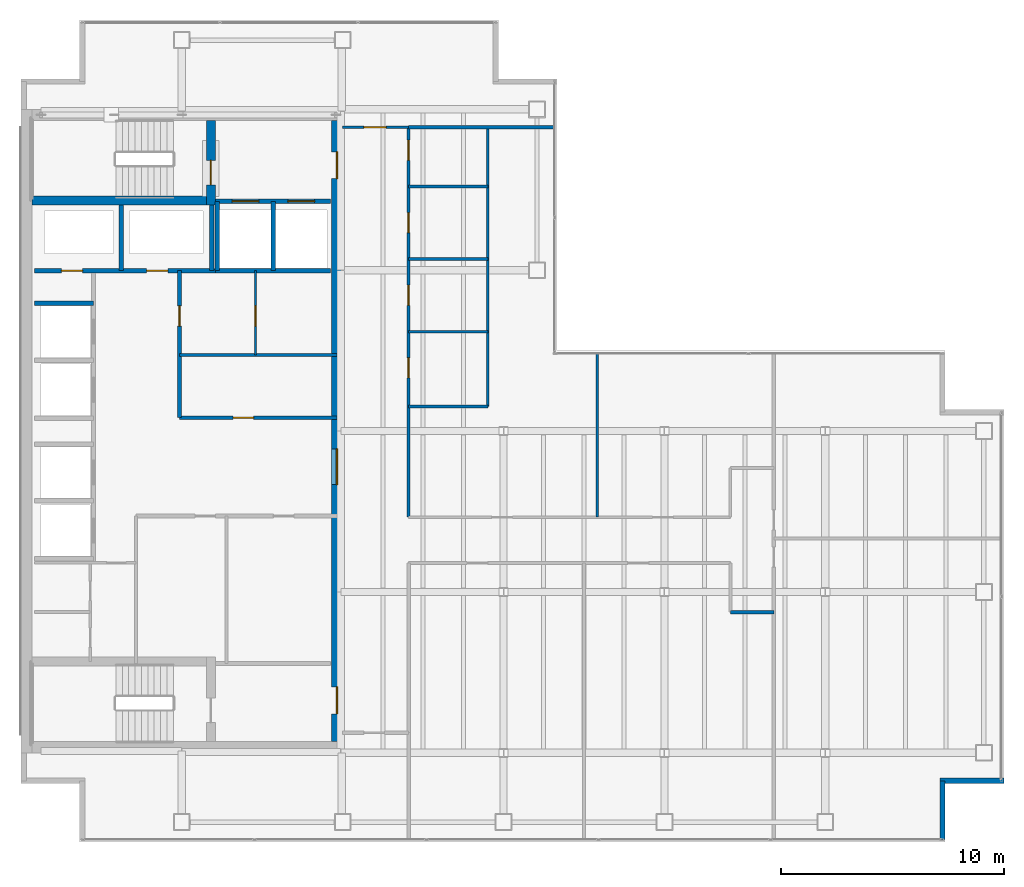
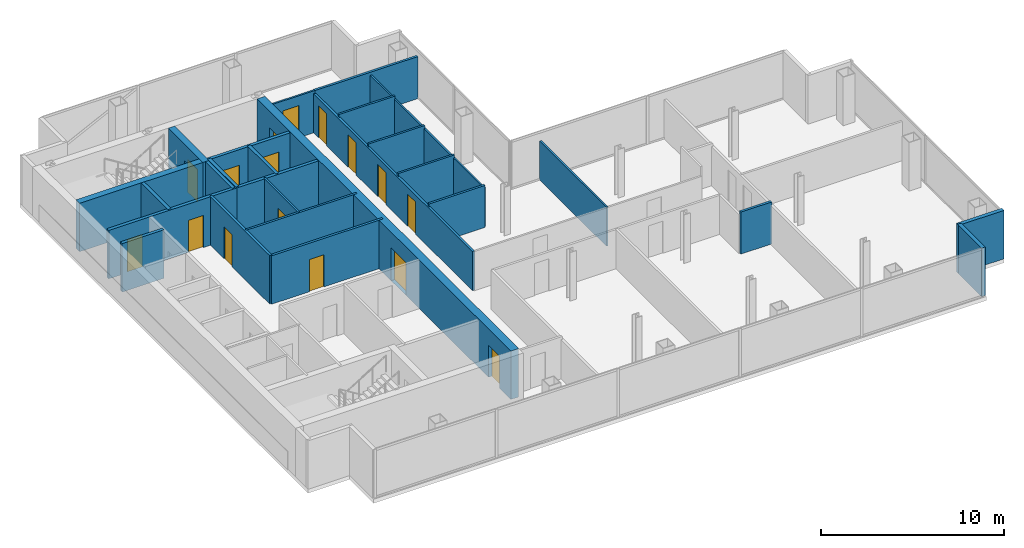
# One storey, part 21 of 23: 27 walls, 16 doors, 16 openings.
"""IFC4 building model written with IfcOpenShell, lengths in metres."""

from ifc_helpers import new_model, si_unit, direction, frame, frame_2d, origin, place, context, subcontext, project, spatial, rectangle, extrude, material, layer, layer_set, type_object, element, fill, save


model = new_model("IFC4")

# Units and contexts
model_context = context("Model", 3, precision=1e-05, world=origin(), true_north=direction((0.0, 1.0)))
body_context = subcontext(model_context, "Body", "Model", "MODEL_VIEW")
ifc_project = project(units=[si_unit("LENGTHUNIT", "METRE"), si_unit("AREAUNIT", "SQUARE_METRE"), si_unit("VOLUMEUNIT", "CUBIC_METRE"), si_unit("PLANEANGLEUNIT", "RADIAN"), si_unit("MASSUNIT", "GRAM", prefix="KILO")], contexts=[model_context])

# Site, building, storey
site_placement = place(None, origin())
site = spatial("IfcSite", under=ifc_project, at=site_placement, CompositionType="ELEMENT")
building_placement = place(site_placement, origin())
building = spatial("IfcBuilding", under=site, at=building_placement, Name="Cobrela Telecom Tower", CompositionType="ELEMENT")
storey_placement = place(building_placement, frame((0.0, 0.0, 215.25)))
storey = spatial("IfcBuildingStorey", under=building, at=storey_placement, Name="L55", CompositionType="ELEMENT", Elevation=215.25)

# Wall, openings, doors
ifc_material_1 = material(Name="Concrete C40/50", Category="concrete")
ifc_layer_1 = layer(ifc_material_1, 0.5)
ifc_layer_set_1 = layer_set([ifc_layer_1], Name="Concrete C40/50")
wall_type_1 = type_object("IfcWallType", Name="WALL-CORE-C40-500", PredefinedType="SHEAR", material=ifc_layer_set_1)
wall_1_placement = place(storey_placement, frame((14.14990234375, 35.5, 0.0), z_axis=(0.0, 0.0, 1.0), x_axis=(0.0, -1.0, 0.0)))
wall_1 = element("IfcWall", 1, at=wall_1_placement, inside=storey, type_object=wall_type_1, Name="L55 East Core Shear Wall", PredefinedType="SHEAR", context=body_context, shape_type="SweptSolid", body=[
    extrude(rectangle(XDim=27.800048828125, YDim=0.5, at=frame_2d((13.89990234375, 0.0))), origin(), (0.0, 0.0, 1.0), 3.239990234375),
])
opening_1_placement = place(wall_1_placement, frame((1.39990234375, 0.0, 0.0)))
opening_1 = element("IfcOpeningElement", 2, at=opening_1_placement, cuts=wall_1, Name="Opening DR-19", PredefinedType="OPENING", context=body_context, shape_type="SweptSolid", body=[
    extrude(rectangle(XDim=1.199951171875, YDim=2.14990234375, at=frame_2d((0.60009765625, 1.074951171875))), frame((0.0, 0.261962890625, 0.0), z_axis=(0.0, -1.0, 0.0), x_axis=(1.0, 0.0, 0.0)), (0.0, 0.0, 1.0), 0.52392578125),
])
opening_2_placement = place(wall_1_placement, frame((25.35009765625, 0.0, 0.0)))
opening_2 = element("IfcOpeningElement", 3, at=opening_2_placement, cuts=wall_1, Name="Opening DR-19", PredefinedType="OPENING", context=body_context, shape_type="SweptSolid", body=[
    extrude(rectangle(XDim=1.199951171875, YDim=2.14990234375, at=frame_2d((0.60009765625, 1.074951171875))), frame((0.0, 0.261962890625, 0.0), z_axis=(0.0, -1.0, 0.0), x_axis=(1.0, 0.0, 0.0)), (0.0, 0.0, 1.0), 0.52392578125),
])
opening_3_placement = place(wall_1_placement, frame((14.699951171875, 0.0, 0.0)))
opening_3 = element("IfcOpeningElement", 4, at=opening_3_placement, cuts=wall_1, Name="Opening DR-51", PredefinedType="OPENING", context=body_context, shape_type="SweptSolid", body=[
    extrude(rectangle(XDim=1.60009765625, YDim=2.199951171875, at=frame_2d((0.800048828125, 1.10009765625))), frame((0.0, 0.261962890625, 0.0), z_axis=(0.0, -1.0, 0.0), x_axis=(1.0, 0.0, 0.0)), (0.0, 0.0, 1.0), 0.52392578125),
])
ifc_material_2 = material(Name="Steel ASTM A36", Category="steel")
door_type_1 = type_object("IfcDoorType", Name="DOOR-FD60-1200", OperationType="SINGLE_SWING_LEFT", PredefinedType="DOOR", material=ifc_material_2)
door_1_placement = place(opening_1_placement, origin())
door_1 = element("IfcDoor", 5, at=door_1_placement, inside=storey, type_object=door_type_1, Name="L55 Door DR-19", OperationType="SINGLE_SWING_LEFT", OverallHeight=2.14990234375, OverallWidth=1.199951171875, PredefinedType="DOOR", context=body_context, shape_type="SweptSolid", body=[
    extrude(rectangle(XDim=1.199951171875, YDim=2.14990234375, at=frame_2d((0.60009765625, 1.074951171875))), frame((0.0, 0.02490234375, 0.0), z_axis=(0.0, -1.0, 0.0), x_axis=(1.0, 0.0, 0.0)), (0.0, 0.0, 1.0), 0.050048828125),
])
fill(opening_1, door_1)
door_2_placement = place(opening_2_placement, origin())
door_2 = element("IfcDoor", 6, at=door_2_placement, inside=storey, type_object=door_type_1, Name="L55 Door DR-19", OperationType="SINGLE_SWING_RIGHT", OverallHeight=2.14990234375, OverallWidth=1.199951171875, PredefinedType="DOOR", context=body_context, shape_type="SweptSolid", body=[
    extrude(rectangle(XDim=1.199951171875, YDim=2.14990234375, at=frame_2d((0.60009765625, 1.074951171875))), frame((0.0, 0.02490234375, 0.0), z_axis=(0.0, -1.0, 0.0), x_axis=(1.0, 0.0, 0.0)), (0.0, 0.0, 1.0), 0.050048828125),
])
fill(opening_2, door_2)
door_type_2 = type_object("IfcDoorType", Name="DOOR-FD60-1600", OperationType="SINGLE_SWING_LEFT", PredefinedType="DOOR", material=ifc_material_2)
door_3_placement = place(opening_3_placement, origin())
door_3 = element("IfcDoor", 7, at=door_3_placement, inside=storey, type_object=door_type_2, Name="L55 Door DR-51", OperationType="DOUBLE_DOOR_SINGLE_SWING", OverallHeight=2.199951171875, OverallWidth=1.60009765625, PredefinedType="DOOR", context=body_context, shape_type="SweptSolid", body=[
    extrude(rectangle(XDim=1.60009765625, YDim=2.199951171875, at=frame_2d((0.800048828125, 1.10009765625))), frame((0.0, 0.02490234375, 0.0), z_axis=(0.0, -1.0, 0.0), x_axis=(1.0, 0.0, 0.0)), (0.0, 0.0, 1.0), 0.050048828125),
])
fill(opening_3, door_3)

# Walls
ifc_layer_2 = layer(ifc_material_1, 0.239990234375)
ifc_layer_set_2 = layer_set([ifc_layer_2], Name="Concrete C40/50")
wall_type_2 = type_object("IfcWallType", Name="WALL-EXT-300", PredefinedType="STANDARD", material=ifc_layer_set_2)
wall_2_placement = place(storey_placement, frame((44.0, 5.949951171875, 0.0), z_axis=(0.0, 0.0, 1.0), x_axis=(-1.0, 0.0, 0.0)))
element("IfcWall", 8, at=wall_2_placement, inside=storey, type_object=wall_type_2, Name="L55 Insulated Facade Wall 15", PredefinedType="STANDARD", context=body_context, shape_type="SweptSolid", body=[
    extrude(rectangle(XDim=2.8701171875, YDim=0.239990234375, at=frame_2d((1.43505859375, 0.0))), origin(), (0.0, 0.0, 1.0), 3.239990234375),
])
wall_3_placement = place(storey_placement, frame((41.25, 5.949951171875, 0.0), z_axis=(0.0, 0.0, 1.0), x_axis=(0.0, -1.0, 0.0)))
element("IfcWall", 9, at=wall_3_placement, inside=storey, type_object=wall_type_2, Name="L55 Insulated Facade Wall 16", PredefinedType="STANDARD", context=body_context, shape_type="SweptSolid", body=[
    extrude(rectangle(XDim=2.6298828125, YDim=0.239990234375, at=frame_2d((1.31494140625, 0.0))), origin(), (0.0, 0.0, 1.0), 3.239990234375),
])

# Wall, opening, door
ifc_material_3 = material(Name="Fire-Rated Gypsum Plasterboard")
ifc_layer_3 = layer(ifc_material_3, 0.110107421875)
ifc_layer_set_3 = layer_set([ifc_layer_3], Name="Fire-Rated Gypsum Plasterboard")
wall_type_3 = type_object("IfcWallType", Name="WALL-PART-110", PredefinedType="PARTITIONING", material=ifc_layer_set_3)
wall_4_placement = place(storey_placement, frame((10.5, 25.0, 0.0), z_axis=(0.0, 0.0, 1.0), x_axis=(0.0, 1.0, 0.0)))
wall_4 = element("IfcWall", 10, at=wall_4_placement, inside=storey, type_object=wall_type_3, Name="L55 Interior Partition CW-RECL-VN", PredefinedType="PARTITIONING", context=body_context, shape_type="SweptSolid", body=[
    extrude(rectangle(XDim=3.780029296875, YDim=0.110107421875, at=frame_2d((1.89013671875, 0.0))), origin(), (0.0, 0.0, 1.0), 3.239990234375),
])
opening_4_placement = place(wall_4_placement, frame((1.300048828125, 0.0, 0.0)))
opening_4 = element("IfcOpeningElement", 11, at=opening_4_placement, cuts=wall_4, Name="Opening DR-41", PredefinedType="OPENING", context=body_context, shape_type="SweptSolid", body=[
    extrude(rectangle(XDim=0.89990234375, YDim=2.14990234375, at=frame_2d((0.449951171875, 1.074951171875))), frame((0.0, 0.06689453125, 0.0), z_axis=(0.0, -1.0, 0.0), x_axis=(1.0, 0.0, 0.0)), (0.0, 0.0, 1.0), 0.134033203125),
])
ifc_material_4 = material(Name="Solid Engineered Oak Timber", Category="wood")
door_type_3 = type_object("IfcDoorType", Name="DOOR-INT-900", OperationType="SINGLE_SWING_LEFT", PredefinedType="DOOR", material=ifc_material_4)
door_4_placement = place(opening_4_placement, origin())
door_4 = element("IfcDoor", 12, at=door_4_placement, inside=storey, type_object=door_type_3, Name="L55 Door DR-41", OperationType="SINGLE_SWING_LEFT", OverallHeight=2.14990234375, OverallWidth=0.89990234375, PredefinedType="DOOR", context=body_context, shape_type="SweptSolid", body=[
    extrude(rectangle(XDim=0.89990234375, YDim=2.14990234375, at=frame_2d((0.449951171875, 1.074951171875))), frame((0.0, 0.02490234375, 0.0), z_axis=(0.0, -1.0, 0.0), x_axis=(1.0, 0.0, 0.0)), (0.0, 0.0, 1.0), 0.050048828125),
])
fill(opening_4, door_4)

wall_5_placement = place(storey_placement, frame((14.39990234375, 35.199951171875, 0.0), z_axis=(0.0, 0.0, 1.0), x_axis=(1.0, 0.0, 0.0)))
wall_5 = element("IfcWall", 13, at=wall_5_placement, inside=storey, type_object=wall_type_3, Name="L55 Interior Partition W-C-N0", PredefinedType="PARTITIONING", context=body_context, shape_type="SweptSolid", body=[
    extrude(rectangle(XDim=2.9501953125, YDim=0.110107421875, at=frame_2d((1.47509765625, 0.0))), origin(), (0.0, 0.0, 1.0), 2.80810546875),
])
opening_5_placement = place(wall_5_placement, frame((0.949951171875, 0.0, 0.0)))
opening_5 = element("IfcOpeningElement", 14, at=opening_5_placement, cuts=wall_5, Name="Opening DR-31", PredefinedType="OPENING", context=body_context, shape_type="SweptSolid", body=[
    extrude(rectangle(XDim=1.0, YDim=2.14990234375, at=frame_2d((0.5, 1.074951171875))), frame((0.0, 0.06689453125, 0.0), z_axis=(0.0, -1.0, 0.0), x_axis=(1.0, 0.0, 0.0)), (0.0, 0.0, 1.0), 0.134033203125),
])
door_type_4 = type_object("IfcDoorType", Name="DOOR-INT-1000", OperationType="SINGLE_SWING_LEFT", PredefinedType="DOOR", material=ifc_material_4)
door_5_placement = place(opening_5_placement, origin())
door_5 = element("IfcDoor", 15, at=door_5_placement, inside=storey, type_object=door_type_4, Name="L55 Door DR-31", OperationType="SINGLE_SWING_LEFT", OverallHeight=2.14990234375, OverallWidth=1.0, PredefinedType="DOOR", context=body_context, shape_type="SweptSolid", body=[
    extrude(rectangle(XDim=1.0, YDim=2.14990234375, at=frame_2d((0.5, 1.074951171875))), frame((0.0, 0.02490234375, 0.0), z_axis=(0.0, -1.0, 0.0), x_axis=(1.0, 0.0, 0.0)), (0.0, 0.0, 1.0), 0.050048828125),
])
fill(opening_5, door_5)

# Walls
wall_6_placement = place(storey_placement, frame((20.89990234375, 22.699951171875, 0.0), z_axis=(0.0, 0.0, 1.0), x_axis=(0.0, 1.0, 0.0)))
element("IfcWall", 16, at=wall_6_placement, inside=storey, type_object=wall_type_3, Name="L55 Interior Partition W-WC-E", PredefinedType="PARTITIONING", context=body_context, shape_type="SweptSolid", body=[
    extrude(rectangle(XDim=12.5, YDim=0.110107421875, at=frame_2d((6.25, 0.0))), origin(), (0.0, 0.0, 1.0), 2.613037109375),
])
wall_7_placement = place(storey_placement, frame((25.800048828125, 17.75, 0.0), z_axis=(0.0, 0.0, 1.0), x_axis=(0.0, 1.0, 0.0)))
element("IfcWall", 17, at=wall_7_placement, inside=storey, type_object=wall_type_3, Name="L55 Interior Partition W-NV-1", PredefinedType="PARTITIONING", context=body_context, shape_type="SweptSolid", body=[
    extrude(rectangle(XDim=7.300048828125, YDim=0.110107421875, at=frame_2d((3.64990234375, 0.0))), origin(), (0.0, 0.0, 1.0), 2.613037109375),
])
ifc_layer_4 = layer(ifc_material_3, 0.125)
ifc_layer_set_4 = layer_set([ifc_layer_4], Name="Fire-Rated Gypsum Plasterboard")
wall_type_4 = type_object("IfcWallType", Name="WALL-PART-125", PredefinedType="PARTITIONING", material=ifc_layer_set_4)
for number, where, z_axis, x_axis, name in (
    (18, (17.35009765625, 26.050048828125, 0.0), (0.0, 0.0, 1.0), (1.0, 0.0, 0.0), "L55 Interior Partition W-WCD-1"),
    (19, (17.35009765625, 29.300048828125, 0.0), (0.0, 0.0, 1.0), (1.0, 0.0, 0.0), "L55 Interior Partition W-WCD-2"),
    (20, (17.35009765625, 32.550048828125, 0.0), (0.0, 0.0, 1.0), (1.0, 0.0, 0.0), "L55 Interior Partition W-WCD-3"),
):
    element("IfcWall", number, at=place(storey_placement, frame(where, z_axis=z_axis, x_axis=x_axis)), inside=storey, type_object=wall_type_4, Name=name, PredefinedType="PARTITIONING", context=body_context, shape_type="SweptSolid", body=[
        extrude(rectangle(XDim=3.5498046875, YDim=0.125, at=frame_2d((1.77490234375, 0.0))), origin(), (0.0, 0.0, 1.0), 2.80810546875),
    ])
ifc_layer_5 = layer(ifc_material_3, 0.135009765625)
ifc_layer_set_5 = layer_set([ifc_layer_5], Name="Fire-Rated Gypsum Plasterboard")
wall_type_5 = type_object("IfcWallType", Name="WALL-PART-135", PredefinedType="PARTITIONING", material=ifc_layer_set_5)
wall_8_placement = place(storey_placement, frame((7.10009765625, 25.0, 0.0), z_axis=(0.0, 0.0, 1.0), x_axis=(1.0, 0.0, 0.0)))
element("IfcWall", 21, at=wall_8_placement, inside=storey, type_object=wall_type_5, Name="L55 Interior Partition CW-RECL-H", PredefinedType="PARTITIONING", context=body_context, shape_type="SweptSolid", body=[
    extrude(rectangle(XDim=7.0498046875, YDim=0.135009765625, at=frame_2d((3.52490234375, 0.0))), origin(), (0.0, 0.0, 1.0), 3.239990234375),
])
wall_9_placement = place(storey_placement, frame((17.35009765625, 22.699951171875, 0.0), z_axis=(0.0, 0.0, 1.0), x_axis=(1.0, 0.0, 0.0)))
element("IfcWall", 22, at=wall_9_placement, inside=storey, type_object=wall_type_5, Name="L55 Interior Partition W-WC-S", PredefinedType="PARTITIONING", context=body_context, shape_type="SweptSolid", body=[
    extrude(rectangle(XDim=3.5498046875, YDim=0.135009765625, at=frame_2d((1.77490234375, 0.0))), origin(), (0.0, 0.0, 1.0), 2.80810546875),
])

# Wall, opening, door
ifc_layer_6 = layer(ifc_material_3, 0.14990234375)
ifc_layer_set_6 = layer_set([ifc_layer_6], Name="Fire-Rated Gypsum Plasterboard")
wall_type_6 = type_object("IfcWallType", Name="WALL-PART-150", PredefinedType="PARTITIONING", material=ifc_layer_set_6)
wall_10_placement = place(storey_placement, frame((7.10009765625, 22.199951171875, 0.0), z_axis=(0.0, 0.0, 1.0), x_axis=(1.0, 0.0, 0.0)))
wall_10 = element("IfcWall", 23, at=wall_10_placement, inside=storey, type_object=wall_type_6, Name="L55 Interior Partition CW-RECL-S", PredefinedType="PARTITIONING", context=body_context, shape_type="SweptSolid", body=[
    extrude(rectangle(XDim=7.0498046875, YDim=0.14990234375, at=frame_2d((3.52490234375, 0.0))), origin(), (0.0, 0.0, 1.0), 3.239990234375),
])
opening_6_placement = place(wall_10_placement, frame((2.39990234375, 0.0, 0.0)))
opening_6 = element("IfcOpeningElement", 24, at=opening_6_placement, cuts=wall_10, Name="Opening DR-45", PredefinedType="OPENING", context=body_context, shape_type="SweptSolid", body=[
    extrude(rectangle(XDim=0.919921875, YDim=2.14990234375, at=frame_2d((0.4599609375, 1.074951171875))), frame((0.0, 0.0869140625, 0.0), z_axis=(0.0, -1.0, 0.0), x_axis=(1.0, 0.0, 0.0)), (0.0, 0.0, 1.0), 0.173828125),
])
door_type_5 = type_object("IfcDoorType", Name="DOOR-INT-920", OperationType="SINGLE_SWING_LEFT", PredefinedType="DOOR", material=ifc_material_4)
door_6_placement = place(opening_6_placement, origin())
door_6 = element("IfcDoor", 25, at=door_6_placement, inside=storey, type_object=door_type_5, Name="L55 Door DR-45", OperationType="SINGLE_SWING_LEFT", OverallHeight=2.14990234375, OverallWidth=0.919921875, PredefinedType="DOOR", context=body_context, shape_type="SweptSolid", body=[
    extrude(rectangle(XDim=0.919921875, YDim=2.14990234375, at=frame_2d((0.4599609375, 1.074951171875))), frame((0.0, 0.02490234375, 0.0), z_axis=(0.0, -1.0, 0.0), x_axis=(1.0, 0.0, 0.0)), (0.0, 0.0, 1.0), 0.050048828125),
])
fill(opening_6, door_6)

# Wall, openings, doors
wall_11_placement = place(storey_placement, frame((17.35009765625, 17.75, 0.0), z_axis=(0.0, 0.0, 1.0), x_axis=(0.0, 1.0, 0.0)))
wall_11 = element("IfcWall", 26, at=wall_11_placement, inside=storey, type_object=wall_type_6, Name="L55 Interior Partition W-C-E2", PredefinedType="PARTITIONING", context=body_context, shape_type="SweptSolid", body=[
    extrude(rectangle(XDim=17.449951171875, YDim=0.14990234375, at=frame_2d((8.72509765625, 0.0))), origin(), (0.0, 0.0, 1.0), 2.613037109375),
])
opening_7_placement = place(wall_11_placement, frame((6.22998046875, 0.0, 0.0)))
opening_7 = element("IfcOpeningElement", 27, at=opening_7_placement, cuts=wall_11, Name="Opening DR-41", PredefinedType="OPENING", context=body_context, shape_type="SweptSolid", body=[
    extrude(rectangle(XDim=0.89990234375, YDim=2.14990234375, at=frame_2d((0.449951171875, 1.074951171875))), frame((0.0, 0.0869140625, 0.0), z_axis=(0.0, -1.0, 0.0), x_axis=(1.0, 0.0, 0.0)), (0.0, 0.0, 1.0), 0.173828125),
])
opening_8_placement = place(wall_11_placement, frame((9.47998046875, 0.0, 0.0)))
opening_8 = element("IfcOpeningElement", 28, at=opening_8_placement, cuts=wall_11, Name="Opening DR-41", PredefinedType="OPENING", context=body_context, shape_type="SweptSolid", body=[
    extrude(rectangle(XDim=0.89990234375, YDim=2.14990234375, at=frame_2d((0.449951171875, 1.074951171875))), frame((0.0, 0.0869140625, 0.0), z_axis=(0.0, -1.0, 0.0), x_axis=(1.0, 0.0, 0.0)), (0.0, 0.0, 1.0), 0.173828125),
])
opening_9_placement = place(wall_11_placement, frame((12.72998046875, 0.0, 0.0)))
opening_9 = element("IfcOpeningElement", 29, at=opening_9_placement, cuts=wall_11, Name="Opening DR-41", PredefinedType="OPENING", context=body_context, shape_type="SweptSolid", body=[
    extrude(rectangle(XDim=0.89990234375, YDim=2.14990234375, at=frame_2d((0.449951171875, 1.074951171875))), frame((0.0, 0.0869140625, 0.0), z_axis=(0.0, -1.0, 0.0), x_axis=(1.0, 0.0, 0.0)), (0.0, 0.0, 1.0), 0.173828125),
])
opening_10_placement = place(wall_11_placement, frame((15.969970703125, 0.0, 0.0)))
opening_10 = element("IfcOpeningElement", 30, at=opening_10_placement, cuts=wall_11, Name="Opening DR-41", PredefinedType="OPENING", context=body_context, shape_type="SweptSolid", body=[
    extrude(rectangle(XDim=0.89990234375, YDim=2.14990234375, at=frame_2d((0.449951171875, 1.074951171875))), frame((0.0, 0.0869140625, 0.0), z_axis=(0.0, -1.0, 0.0), x_axis=(1.0, 0.0, 0.0)), (0.0, 0.0, 1.0), 0.173828125),
])
door_7_placement = place(opening_7_placement, origin())
door_7 = element("IfcDoor", 31, at=door_7_placement, inside=storey, type_object=door_type_3, Name="L55 Door DR-41", OperationType="SINGLE_SWING_LEFT", OverallHeight=2.14990234375, OverallWidth=0.89990234375, PredefinedType="DOOR", context=body_context, shape_type="SweptSolid", body=[
    extrude(rectangle(XDim=0.89990234375, YDim=2.14990234375, at=frame_2d((0.449951171875, 1.074951171875))), frame((0.0, 0.02490234375, 0.0), z_axis=(0.0, -1.0, 0.0), x_axis=(1.0, 0.0, 0.0)), (0.0, 0.0, 1.0), 0.050048828125),
])
fill(opening_7, door_7)
door_8_placement = place(opening_8_placement, origin())
door_8 = element("IfcDoor", 32, at=door_8_placement, inside=storey, type_object=door_type_3, Name="L55 Door DR-41", OperationType="SINGLE_SWING_RIGHT", OverallHeight=2.14990234375, OverallWidth=0.89990234375, PredefinedType="DOOR", context=body_context, shape_type="SweptSolid", body=[
    extrude(rectangle(XDim=0.89990234375, YDim=2.14990234375, at=frame_2d((0.449951171875, 1.074951171875))), frame((0.0, 0.02490234375, 0.0), z_axis=(0.0, -1.0, 0.0), x_axis=(1.0, 0.0, 0.0)), (0.0, 0.0, 1.0), 0.050048828125),
])
fill(opening_8, door_8)
door_9_placement = place(opening_9_placement, origin())
door_9 = element("IfcDoor", 33, at=door_9_placement, inside=storey, type_object=door_type_3, Name="L55 Door DR-41", OperationType="SINGLE_SWING_LEFT", OverallHeight=2.14990234375, OverallWidth=0.89990234375, PredefinedType="DOOR", context=body_context, shape_type="SweptSolid", body=[
    extrude(rectangle(XDim=0.89990234375, YDim=2.14990234375, at=frame_2d((0.449951171875, 1.074951171875))), frame((0.0, 0.02490234375, 0.0), z_axis=(0.0, -1.0, 0.0), x_axis=(1.0, 0.0, 0.0)), (0.0, 0.0, 1.0), 0.050048828125),
])
fill(opening_9, door_9)
door_10_placement = place(opening_10_placement, origin())
door_10 = element("IfcDoor", 34, at=door_10_placement, inside=storey, type_object=door_type_3, Name="L55 Door DR-41", OperationType="SINGLE_SWING_RIGHT", OverallHeight=2.14990234375, OverallWidth=0.89990234375, PredefinedType="DOOR", context=body_context, shape_type="SweptSolid", body=[
    extrude(rectangle(XDim=0.89990234375, YDim=2.14990234375, at=frame_2d((0.449951171875, 1.074951171875))), frame((0.0, 0.02490234375, 0.0), z_axis=(0.0, -1.0, 0.0), x_axis=(1.0, 0.0, 0.0)), (0.0, 0.0, 1.0), 0.050048828125),
])
fill(opening_10, door_10)

# Wall
wall_12_placement = place(storey_placement, frame((17.35009765625, 35.199951171875, 0.0), z_axis=(0.0, 0.0, 1.0), x_axis=(1.0, 0.0, 0.0)))
element("IfcWall", 35, at=wall_12_placement, inside=storey, type_object=wall_type_6, Name="L55 Interior Partition W-NW-S", PredefinedType="PARTITIONING", context=body_context, shape_type="SweptSolid", body=[
    extrude(rectangle(XDim=6.52978515625, YDim=0.14990234375, at=frame_2d((3.264892578125, 0.0))), origin(), (0.0, 0.0, 1.0), 2.80810546875),
])

# Wall, opening, door
ifc_layer_7 = layer(ifc_material_3, 0.159912109375)
ifc_layer_set_7 = layer_set([ifc_layer_7], Name="Fire-Rated Gypsum Plasterboard")
wall_type_7 = type_object("IfcWallType", Name="WALL-PART-160", PredefinedType="PARTITIONING", material=ifc_layer_set_7)
wall_13_placement = place(storey_placement, frame((7.10009765625, 22.199951171875, 0.0), z_axis=(0.0, 0.0, 1.0), x_axis=(0.0, 1.0, 0.0)))
wall_13 = element("IfcWall", 36, at=wall_13_placement, inside=storey, type_object=wall_type_7, Name="L55 Interior Partition CW-RECL-W", PredefinedType="PARTITIONING", context=body_context, shape_type="SweptSolid", body=[
    extrude(rectangle(XDim=6.580078125, YDim=0.159912109375, at=frame_2d((3.2900390625, 0.0))), origin(), (0.0, 0.0, 1.0), 3.239990234375),
])
opening_11_placement = place(wall_13_placement, frame((4.10009765625, 0.0, 0.0)))
opening_11 = element("IfcOpeningElement", 37, at=opening_11_placement, cuts=wall_13, Name="Opening DR-41", PredefinedType="OPENING", context=body_context, shape_type="SweptSolid", body=[
    extrude(rectangle(XDim=0.89990234375, YDim=2.14990234375, at=frame_2d((0.449951171875, 1.074951171875))), frame((0.0, 0.091796875, 0.0), z_axis=(0.0, -1.0, 0.0), x_axis=(1.0, 0.0, 0.0)), (0.0, 0.0, 1.0), 0.183837890625),
])
door_11_placement = place(opening_11_placement, origin())
door_11 = element("IfcDoor", 38, at=door_11_placement, inside=storey, type_object=door_type_3, Name="L55 Door DR-41", OperationType="SINGLE_SWING_RIGHT", OverallHeight=2.14990234375, OverallWidth=0.89990234375, PredefinedType="DOOR", context=body_context, shape_type="SweptSolid", body=[
    extrude(rectangle(XDim=0.89990234375, YDim=2.14990234375, at=frame_2d((0.449951171875, 1.074951171875))), frame((0.0, 0.02490234375, 0.0), z_axis=(0.0, -1.0, 0.0), x_axis=(1.0, 0.0, 0.0)), (0.0, 0.0, 1.0), 0.050048828125),
])
fill(opening_11, door_11)

# Wall
wall_14_placement = place(storey_placement, frame((31.75, 13.5, 0.0), z_axis=(0.0, 0.0, 1.0), x_axis=(1.0, 0.0, 0.0)))
element("IfcWall", 39, at=wall_14_placement, inside=storey, type_object=wall_type_7, Name="L55 Interior Partition W-CT-S", PredefinedType="PARTITIONING", context=body_context, shape_type="SweptSolid", body=[
    extrude(rectangle(XDim=1.949951171875, YDim=0.159912109375, at=frame_2d((0.97509765625, 0.0))), origin(), (0.0, 0.0, 1.0), 2.80810546875),
])

# Wall, openings, doors
ifc_layer_8 = layer(ifc_material_3, 0.199951171875)
ifc_layer_set_8 = layer_set([ifc_layer_8], Name="Fire-Rated Gypsum Plasterboard")
wall_type_8 = type_object("IfcWallType", Name="WALL-SHAFT-200", PredefinedType="PARTITIONING", material=ifc_layer_set_8)
wall_15_placement = place(storey_placement, frame((8.699951171875, 31.8798828125, 0.0), z_axis=(0.0, 0.0, 1.0), x_axis=(1.0, 0.0, 0.0)))
wall_15 = element("IfcWall", 40, at=wall_15_placement, inside=storey, type_object=wall_type_8, Name="L55 Shaft Enclosure CW-FFL-S", PredefinedType="PARTITIONING", context=body_context, shape_type="SweptSolid", body=[
    extrude(rectangle(XDim=5.150146484375, YDim=0.199951171875, at=frame_2d((2.5751953125, 0.0))), origin(), (0.0, 0.0, 1.0), 3.239990234375),
])
opening_12_placement = place(wall_15_placement, frame((0.75, 0.0, 0.0)))
opening_12 = element("IfcOpeningElement", 41, at=opening_12_placement, cuts=wall_15, Name="Opening LD-2", PredefinedType="OPENING", context=body_context, shape_type="SweptSolid", body=[
    extrude(rectangle(XDim=1.199951171875, YDim=2.199951171875, at=frame_2d((0.60009765625, 1.10009765625))), frame((0.0, 0.11181640625, 0.0), z_axis=(0.0, -1.0, 0.0), x_axis=(1.0, 0.0, 0.0)), (0.0, 0.0, 1.0), 0.223876953125),
])
opening_13_placement = place(wall_15_placement, frame((3.25, 0.0, 0.0)))
opening_13 = element("IfcOpeningElement", 42, at=opening_13_placement, cuts=wall_15, Name="Opening LD-2", PredefinedType="OPENING", context=body_context, shape_type="SweptSolid", body=[
    extrude(rectangle(XDim=1.199951171875, YDim=2.199951171875, at=frame_2d((0.60009765625, 1.10009765625))), frame((0.0, 0.11181640625, 0.0), z_axis=(0.0, -1.0, 0.0), x_axis=(1.0, 0.0, 0.0)), (0.0, 0.0, 1.0), 0.223876953125),
])
door_type_6 = type_object("IfcDoorType", Name="DOOR-LD-FFL", OperationType="SINGLE_SWING_LEFT", PredefinedType="DOOR", material=ifc_material_2)
door_12_placement = place(opening_12_placement, origin())
door_12 = element("IfcDoor", 43, at=door_12_placement, inside=storey, type_object=door_type_6, Name="L55 Lift Landing Door LD-2", OperationType="DOUBLE_DOOR_SLIDING", OverallHeight=2.199951171875, OverallWidth=1.199951171875, PredefinedType="DOOR", context=body_context, shape_type="SweptSolid", body=[
    extrude(rectangle(XDim=1.199951171875, YDim=2.199951171875, at=frame_2d((0.60009765625, 1.10009765625))), frame((0.0, 0.02490234375, 0.0), z_axis=(0.0, -1.0, 0.0), x_axis=(1.0, 0.0, 0.0)), (0.0, 0.0, 1.0), 0.050048828125),
])
fill(opening_12, door_12)
door_13_placement = place(opening_13_placement, origin())
door_13 = element("IfcDoor", 44, at=door_13_placement, inside=storey, type_object=door_type_6, Name="L55 Lift Landing Door LD-2", OperationType="DOUBLE_DOOR_SLIDING", OverallHeight=2.199951171875, OverallWidth=1.199951171875, PredefinedType="DOOR", context=body_context, shape_type="SweptSolid", body=[
    extrude(rectangle(XDim=1.199951171875, YDim=2.199951171875, at=frame_2d((0.60009765625, 1.10009765625))), frame((0.0, 0.02490234375, 0.0), z_axis=(0.0, -1.0, 0.0), x_axis=(1.0, 0.0, 0.0)), (0.0, 0.0, 1.0), 0.050048828125),
])
fill(opening_13, door_13)

# Walls
wall_16_placement = place(storey_placement, frame((8.699951171875, 28.780029296875, 0.0), z_axis=(0.0, 0.0, 1.0), x_axis=(1.0, 0.0, 0.0)))
element("IfcWall", 45, at=wall_16_placement, inside=storey, type_object=wall_type_8, Name="L55 Shaft Enclosure CW-FFL-S2", PredefinedType="PARTITIONING", context=body_context, shape_type="SweptSolid", body=[
    extrude(rectangle(XDim=5.150146484375, YDim=0.199951171875, at=frame_2d((2.5751953125, 0.0))), origin(), (0.0, 0.0, 1.0), 3.239990234375),
])
for number, where, z_axis, x_axis, name in (
    (46, (8.780029296875, 28.780029296875, 0.0), (0.0, 0.0, 1.0), (0.0, 1.0, 0.0), "L55 Shaft Enclosure CW-FFL-W"),
    (47, (11.300048828125, 28.780029296875, 0.0), (0.0, 0.0, 1.0), (0.0, 1.0, 0.0), "L55 Shaft Enclosure CW-FFL-M"),
):
    element("IfcWall", number, at=place(storey_placement, frame(where, z_axis=z_axis, x_axis=x_axis)), inside=storey, type_object=wall_type_8, Name=name, PredefinedType="PARTITIONING", context=body_context, shape_type="SweptSolid", body=[
        extrude(rectangle(XDim=3.099853515625, YDim=0.199951171875, at=frame_2d((1.5498046875, 0.0))), origin(), (0.0, 0.0, 1.0), 3.239990234375),
    ])

# Wall, openings, doors
wall_17_placement = place(storey_placement, frame((0.60009765625, 28.780029296875, 0.0), z_axis=(0.0, 0.0, 1.0), x_axis=(1.0, 0.0, 0.0)))
wall_17 = element("IfcWall", 48, at=wall_17_placement, inside=storey, type_object=wall_type_8, Name="L55 Shaft Enclosure CW-RIS-S", PredefinedType="PARTITIONING", context=body_context, shape_type="SweptSolid", body=[
    extrude(rectangle(XDim=8.179931640625, YDim=0.199951171875, at=frame_2d((4.08984375, 0.0))), origin(), (0.0, 0.0, 1.0), 3.239990234375),
])
opening_14_placement = place(wall_17_placement, frame((1.2099609375, 0.0, 0.0)))
opening_14 = element("IfcOpeningElement", 49, at=opening_14_placement, cuts=wall_17, Name="Opening DR-65", PredefinedType="OPENING", context=body_context, shape_type="SweptSolid", body=[
    extrude(rectangle(XDim=0.949951171875, YDim=2.14990234375, at=frame_2d((0.47509765625, 1.074951171875))), frame((0.0, 0.11181640625, 0.0), z_axis=(0.0, -1.0, 0.0), x_axis=(1.0, 0.0, 0.0)), (0.0, 0.0, 1.0), 0.223876953125),
])
opening_15_placement = place(wall_17_placement, frame((5.030029296875, 0.0, 0.0)))
opening_15 = element("IfcOpeningElement", 50, at=opening_15_placement, cuts=wall_17, Name="Opening DR-65", PredefinedType="OPENING", context=body_context, shape_type="SweptSolid", body=[
    extrude(rectangle(XDim=0.949951171875, YDim=2.14990234375, at=frame_2d((0.47509765625, 1.074951171875))), frame((0.0, 0.11181640625, 0.0), z_axis=(0.0, -1.0, 0.0), x_axis=(1.0, 0.0, 0.0)), (0.0, 0.0, 1.0), 0.223876953125),
])
door_type_7 = type_object("IfcDoorType", Name="DOOR-FD60-950", OperationType="SINGLE_SWING_LEFT", PredefinedType="DOOR", material=ifc_material_2)
door_14_placement = place(opening_14_placement, origin())
door_14 = element("IfcDoor", 51, at=door_14_placement, inside=storey, type_object=door_type_7, Name="L55 Door DR-65", OperationType="SINGLE_SWING_LEFT", OverallHeight=2.14990234375, OverallWidth=0.949951171875, PredefinedType="DOOR", context=body_context, shape_type="SweptSolid", body=[
    extrude(rectangle(XDim=0.949951171875, YDim=2.14990234375, at=frame_2d((0.47509765625, 1.074951171875))), frame((0.0, 0.02490234375, 0.0), z_axis=(0.0, -1.0, 0.0), x_axis=(1.0, 0.0, 0.0)), (0.0, 0.0, 1.0), 0.050048828125),
])
fill(opening_14, door_14)
door_15_placement = place(opening_15_placement, origin())
door_15 = element("IfcDoor", 52, at=door_15_placement, inside=storey, type_object=door_type_7, Name="L55 Door DR-65", OperationType="SINGLE_SWING_RIGHT", OverallHeight=2.14990234375, OverallWidth=0.949951171875, PredefinedType="DOOR", context=body_context, shape_type="SweptSolid", body=[
    extrude(rectangle(XDim=0.949951171875, YDim=2.14990234375, at=frame_2d((0.47509765625, 1.074951171875))), frame((0.0, 0.02490234375, 0.0), z_axis=(0.0, -1.0, 0.0), x_axis=(1.0, 0.0, 0.0)), (0.0, 0.0, 1.0), 0.050048828125),
])
fill(opening_15, door_15)

# Walls
for number, where, z_axis, x_axis, name in (
    (53, (4.5, 28.780029296875, 0.0), (0.0, 0.0, 1.0), (0.0, 1.0, 0.0), "L55 Shaft Enclosure CW-RIS-M"),
    (54, (8.550048828125, 28.780029296875, 0.0), (0.0, 0.0, 1.0), (0.0, 1.0, 0.0), "L55 Shaft Enclosure CW-RIS-E"),
):
    element("IfcWall", number, at=place(storey_placement, frame(where, z_axis=z_axis, x_axis=x_axis)), inside=storey, type_object=wall_type_8, Name=name, PredefinedType="PARTITIONING", context=body_context, shape_type="SweptSolid", body=[
        extrude(rectangle(XDim=2.93994140625, YDim=0.199951171875, at=frame_2d((1.469970703125, 0.0))), origin(), (0.0, 0.0, 1.0), 3.239990234375),
    ])
wall_18_placement = place(storey_placement, frame((0.60009765625, 27.320068359375, 0.0), z_axis=(0.0, 0.0, 1.0), x_axis=(1.0, 0.0, 0.0)))
element("IfcWall", 55, at=wall_18_placement, inside=storey, type_object=wall_type_8, Name="L55 Shaft Enclosure CW-PLH-TOP", PredefinedType="PARTITIONING", context=body_context, shape_type="SweptSolid", body=[
    extrude(rectangle(XDim=2.64990234375, YDim=0.199951171875, at=frame_2d((1.324951171875, 0.0))), origin(), (0.0, 0.0, 1.0), 3.239990234375),
])
ifc_layer_9 = layer(ifc_material_1, 0.39990234375)
ifc_layer_set_9 = layer_set([ifc_layer_9], Name="Concrete C40/50")
wall_type_9 = type_object("IfcWallType", Name="WALL-SHAFT-C40-400", PredefinedType="SHEAR", material=ifc_layer_set_9)
wall_19_placement = place(storey_placement, frame((0.5, 31.919921875, 0.0), z_axis=(0.0, 0.0, 1.0), x_axis=(1.0, 0.0, 0.0)))
element("IfcWall", 56, at=wall_19_placement, inside=storey, type_object=wall_type_9, Name="L55 North Stair Shear Wall", PredefinedType="SHEAR", context=body_context, shape_type="SweptSolid", body=[
    extrude(rectangle(XDim=7.800048828125, YDim=0.39990234375, at=frame_2d((3.89990234375, 0.0))), origin(), (0.0, 0.0, 1.0), 3.239990234375),
])

# Wall, opening, door
wall_20_placement = place(storey_placement, frame((8.5, 31.719970703125, 0.0), z_axis=(0.0, 0.0, 1.0), x_axis=(0.0, 1.0, 0.0)))
wall_20 = element("IfcWall", 57, at=wall_20_placement, inside=storey, type_object=wall_type_9, Name="L55 North Stair Lobby Shear Wall", PredefinedType="SHEAR", context=body_context, shape_type="SweptSolid", body=[
    extrude(rectangle(XDim=3.780029296875, YDim=0.39990234375, at=frame_2d((1.89013671875, 0.0))), origin(), (0.0, 0.0, 1.0), 3.239990234375),
])
opening_16_placement = place(wall_20_placement, frame((0.89990234375, 0.0, 0.0)))
opening_16 = element("IfcOpeningElement", 58, at=opening_16_placement, cuts=wall_20, Name="Opening DR-59", PredefinedType="OPENING", context=body_context, shape_type="SweptSolid", body=[
    extrude(rectangle(XDim=1.10009765625, YDim=2.14990234375, at=frame_2d((0.550048828125, 1.074951171875))), frame((0.0, 0.2119140625, 0.0), z_axis=(0.0, -1.0, 0.0), x_axis=(1.0, 0.0, 0.0)), (0.0, 0.0, 1.0), 0.423828125),
])
door_type_8 = type_object("IfcDoorType", Name="DOOR-FD60-1100", OperationType="SINGLE_SWING_LEFT", PredefinedType="DOOR", material=ifc_material_2)
door_16_placement = place(opening_16_placement, origin())
door_16 = element("IfcDoor", 59, at=door_16_placement, inside=storey, type_object=door_type_8, Name="L55 Door DR-59", OperationType="SINGLE_SWING_RIGHT", OverallHeight=2.14990234375, OverallWidth=1.10009765625, PredefinedType="DOOR", context=body_context, shape_type="SweptSolid", body=[
    extrude(rectangle(XDim=1.10009765625, YDim=2.14990234375, at=frame_2d((0.550048828125, 1.074951171875))), frame((0.0, 0.02490234375, 0.0), z_axis=(0.0, -1.0, 0.0), x_axis=(1.0, 0.0, 0.0)), (0.0, 0.0, 1.0), 0.050048828125),
])
fill(opening_16, door_16)

save(model, "model.ifc")
